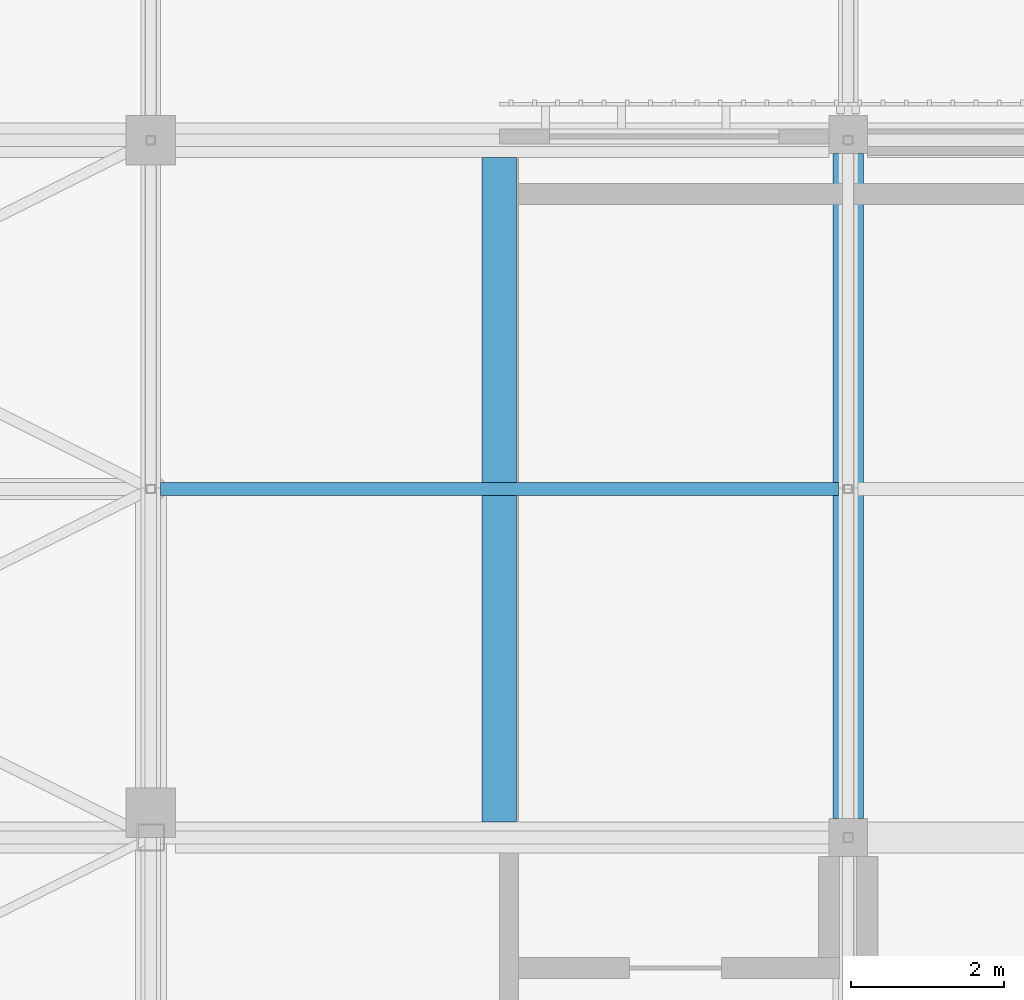
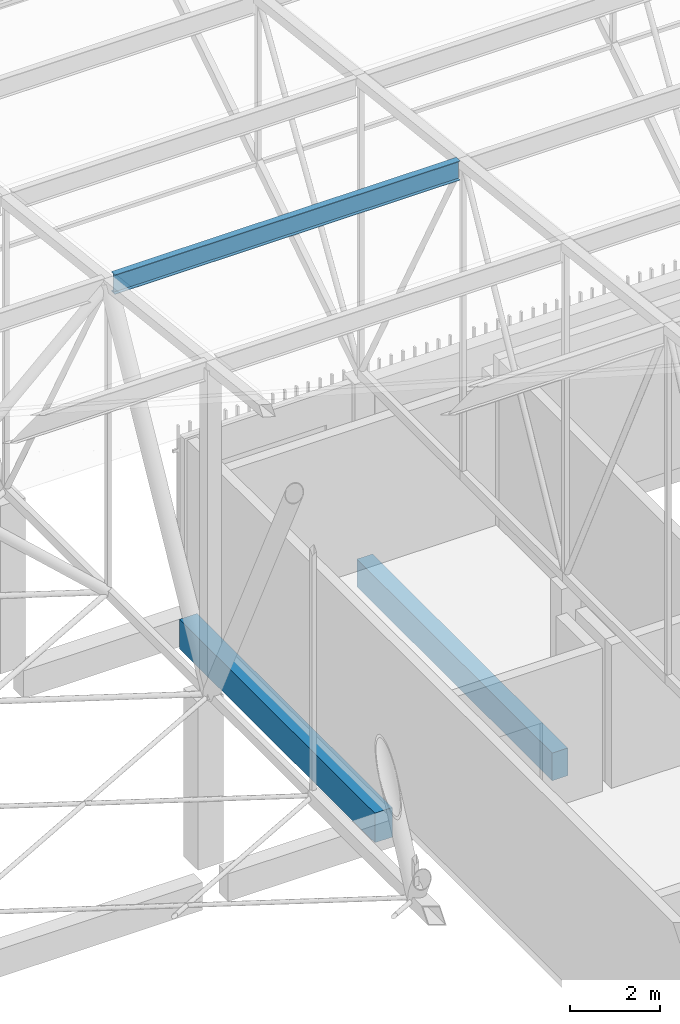
# One storey, part 321 of 500: 2 beams, 1 member.
"""IFC4 building model written with IfcOpenShell, lengths in metres."""

from ifc_helpers import new_model, si_unit, direction, frame, origin, origin_2d, place, context, subcontext, project, spatial, rectangle, i_section, extrude, material, material_profile, profile_set, type_object, element, save


model = new_model("IFC4")

# Units and contexts
model_context = context("Model", 3, precision=1e-05, world=origin(), true_north=direction((0.0, 1.0)))
body_context = subcontext(model_context, "Body", "Model", "MODEL_VIEW")
ifc_project = project(units=[si_unit("LENGTHUNIT", "METRE"), si_unit("AREAUNIT", "SQUARE_METRE"), si_unit("VOLUMEUNIT", "CUBIC_METRE"), si_unit("PLANEANGLEUNIT", "RADIAN"), si_unit("MASSUNIT", "GRAM", prefix="KILO")], contexts=[model_context])

# Site, building, storey
site_placement = place(None, origin())
site = spatial("IfcSite", under=ifc_project, at=site_placement, CompositionType="ELEMENT")
building_placement = place(site_placement, origin())
building = spatial("IfcBuilding", under=site, at=building_placement, Name="Shirokan Park Arena", CompositionType="ELEMENT")
storey_placement = place(building_placement, frame((0.0, 0.0, 29.1201171875)))
storey = spatial("IfcBuildingStorey", under=building, at=storey_placement, Name="L06", CompositionType="ELEMENT", Elevation=29.1201171875)

# Member
ifc_material_1 = material(Name="Steel ASTM A992", Category="steel")
ifc_material_profile_1 = material_profile(ifc_material_1, i_section(OverallWidth=0.166015625, OverallDepth=0.528076171875, WebThickness=0.009765625, FlangeThickness=0.013671875, at=origin_2d()), Name="W530X74")
ifc_profile_set_1 = profile_set([ifc_material_profile_1], Name="Steel ASTM A992")
member_type = type_object("IfcMemberType", Name="Purlin W530X74", PredefinedType="PURLIN", material=ifc_profile_set_1)
member_placement = place(storey_placement, frame((100.22705078125, 104.64990234375, 13.005859375), z_axis=(1.0, 0.0, 0.0), x_axis=(0.0, 1.0, 0.0)))
element("IfcMember", 1, at=member_placement, inside=storey, type_object=member_type, Name="Purlin 26 bay 12", PredefinedType="PURLIN", context=body_context, shape_type="SweptSolid", body=[
    extrude(i_section(OverallWidth=0.166015625, OverallDepth=0.528076171875, WebThickness=0.009765625, FlangeThickness=0.013671875, at=origin_2d()), origin(), (0.0, 0.0, 1.0), 8.845947265625),
])

# Beams
ifc_material_2 = material(Name="Concrete C35", Category="concrete")
ifc_material_profile_2 = material_profile(ifc_material_2, rectangle(XDim=0.449951171875, YDim=0.800048828125, at=origin_2d()), Name="450x800")
ifc_profile_set_2 = profile_set([ifc_material_profile_2], Name="Concrete C35")
beam_type_1 = type_object("IfcBeamType", Name="RC edge beam 450x800", PredefinedType="BEAM", material=ifc_profile_set_2)
beam_1_placement = place(storey_placement, frame((104.64990234375, 108.97509765625, -0.60009765625), z_axis=(0.0, -1.0, 0.0), x_axis=(1.0, 0.0, 0.0)))
element("IfcBeam", 2, at=beam_1_placement, inside=storey, type_object=beam_type_1, Name="Edge beam L06 L06-12", PredefinedType="BEAM", context=body_context, shape_type="SweptSolid", body=[
    extrude(rectangle(XDim=0.449951171875, YDim=0.800048828125, at=origin_2d()), origin(), (0.0, 0.0, 1.0), 8.675048828125),
])
ifc_material_profile_3 = material_profile(ifc_material_2, rectangle(XDim=0.39990234375, YDim=0.75, at=origin_2d()), Name="400x750")
ifc_profile_set_3 = profile_set([ifc_material_profile_3], Name="Concrete C35")
beam_type_2 = type_object("IfcBeamType", Name="RC girder 400x750", PredefinedType="BEAM", material=ifc_profile_set_3)
beam_2_placement = place(storey_placement, frame((109.199951171875, 100.35009765625, -0.5751953125), z_axis=(0.0, 1.0, 0.0), x_axis=(-1.0, 0.0, 0.0)))
element("IfcBeam", 3, at=beam_2_placement, inside=storey, type_object=beam_type_2, Name="Girder 13M-13N L06", PredefinedType="BEAM", context=body_context, shape_type="SweptSolid", body=[
    extrude(rectangle(XDim=0.39990234375, YDim=0.75, at=origin_2d()), origin(), (0.0, 0.0, 1.0), 8.6748046875),
])

save(model, "model.ifc")
